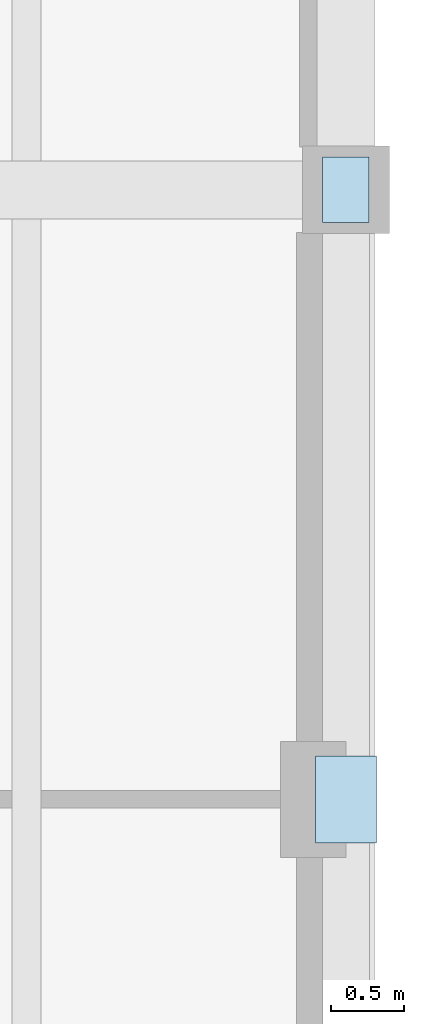
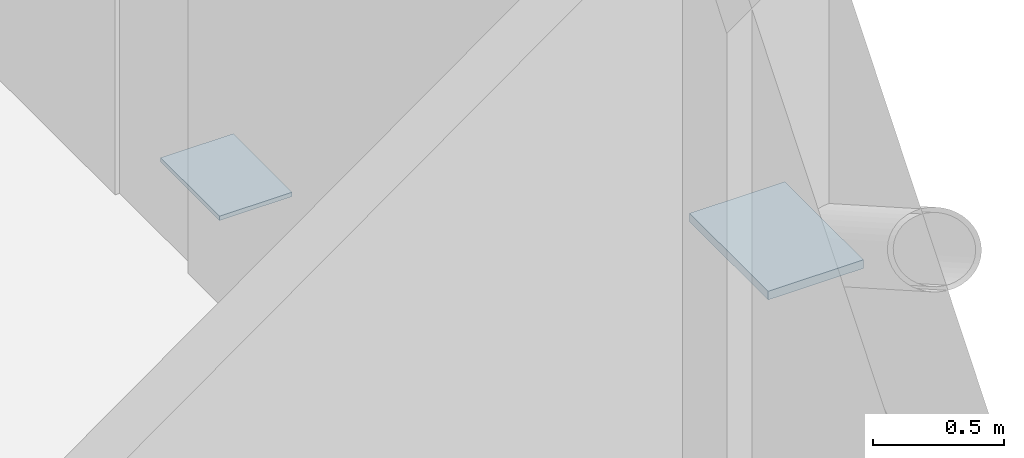
# One storey, part 39 of 64: 2 plates.
"""IFC4 building model written with IfcOpenShell, lengths in metres."""

from ifc_helpers import new_model, si_unit, direction, frame, origin, origin_2d, place, context, subcontext, project, spatial, rectangle, extrude, material, layer, layer_set, type_object, element, save


model = new_model("IFC4")

# Units and contexts
model_context = context("Model", 3, precision=1e-05, world=origin(), true_north=direction((0.0, 1.0)))
body_context = subcontext(model_context, "Body", "Model", "MODEL_VIEW")
ifc_project = project(units=[si_unit("LENGTHUNIT", "METRE"), si_unit("AREAUNIT", "SQUARE_METRE"), si_unit("VOLUMEUNIT", "CUBIC_METRE"), si_unit("PLANEANGLEUNIT", "RADIAN"), si_unit("MASSUNIT", "GRAM", prefix="KILO")], contexts=[model_context])

# Site, building, storey
site_placement = place(None, origin())
site = spatial("IfcSite", under=ifc_project, at=site_placement, CompositionType="ELEMENT")
building_placement = place(site_placement, origin())
building = spatial("IfcBuilding", under=site, at=building_placement, Name="Qaldarim Faculty of Natural and Applied Sciences", CompositionType="ELEMENT")
storey_placement = place(building_placement, origin())
storey = spatial("IfcBuildingStorey", under=building, at=storey_placement, Name="L00", CompositionType="ELEMENT", Elevation=0.0)

# Plates
ifc_material = material(Name="Structural steel S355", Category="steel")
ifc_layer_1 = layer(ifc_material, 0.02001953125)
ifc_layer_set_1 = layer_set([ifc_layer_1], Name="Structural steel S355")
plate_type_1 = type_object("IfcPlateType", Name="GussetPlate-S355-450x320x20", PredefinedType="SHEET", material=ifc_layer_set_1)
plate_1_placement = place(storey_placement, frame((178.199951171875, 109.199951171875, 0.139892578125), z_axis=(0.0, 0.0, 1.0), x_axis=(0.0, 1.0, 0.0)))
element("IfcPlate", 1, at=plate_1_placement, inside=storey, type_object=plate_type_1, Name="Commons east diagrid L00 base gusset BR", PredefinedType="SHEET", context=body_context, shape_type="SweptSolid", body=[
    extrude(rectangle(XDim=0.449951171875, YDim=0.320068359375, at=origin_2d()), origin(), (0.0, 0.0, 1.0), 0.02001953125),
])
ifc_layer_2 = layer(ifc_material, 0.0400390625)
ifc_layer_set_2 = layer_set([ifc_layer_2], Name="Structural steel S355")
plate_type_2 = type_object("IfcPlateType", Name="NodePlate-S355-600x420x40", PredefinedType="SHEET", material=ifc_layer_set_2)
plate_2_placement = place(storey_placement, frame((178.199951171875, 105.0, 2.3798828125), z_axis=(0.0, 0.0, 1.0), x_axis=(0.0, 1.0, 0.0)))
element("IfcPlate", 2, at=plate_2_placement, inside=storey, type_object=plate_type_2, Name="Commons east diagrid L00 X-crossing gusset plate", PredefinedType="SHEET", context=body_context, shape_type="SweptSolid", body=[
    extrude(rectangle(XDim=0.60009765625, YDim=0.419921875, at=origin_2d()), origin(), (0.0, 0.0, 1.0), 0.0400390625),
])

save(model, "model.ifc")
